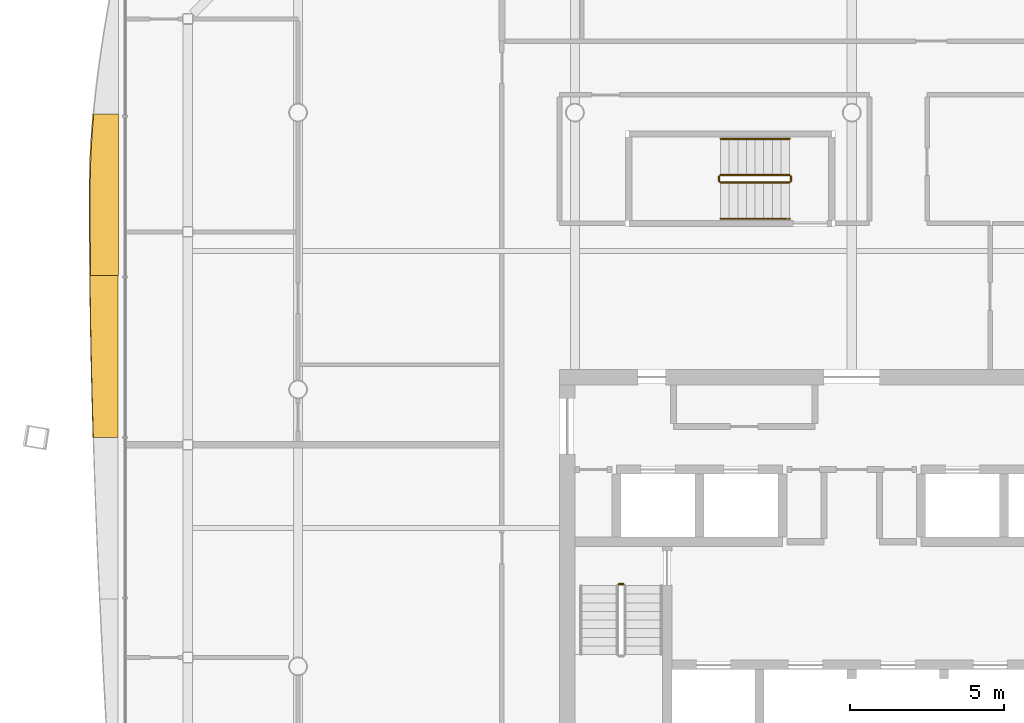
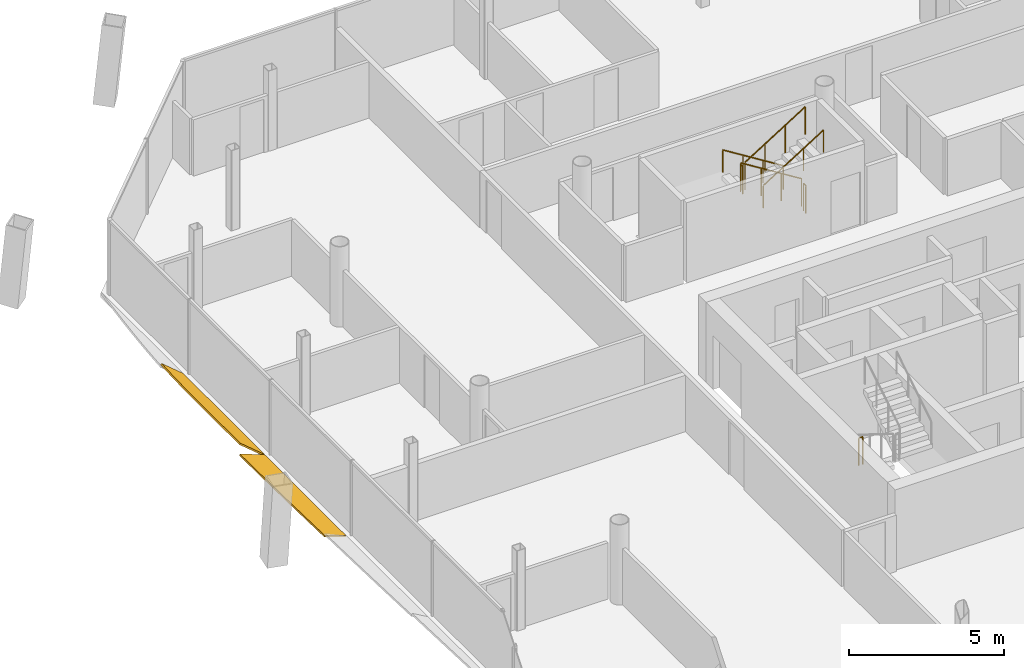
# One storey, part 18 of 20: 7 railings, 2 shading devices.
"""IFC4 building model written with IfcOpenShell, lengths in metres."""

from ifc_helpers import new_model, si_unit, direction, frame, origin, origin_2d, place, context, subcontext, project, spatial, polyline, circle, outline, extrude, material, layer, layer_set, type_object, element, save


model = new_model("IFC4")

# Units and contexts
model_context = context("Model", 3, precision=1e-05, world=origin(), true_north=direction((0.0, 1.0)))
body_context = subcontext(model_context, "Body", "Model", "MODEL_VIEW")
ifc_project = project(units=[si_unit("LENGTHUNIT", "METRE"), si_unit("AREAUNIT", "SQUARE_METRE"), si_unit("VOLUMEUNIT", "CUBIC_METRE"), si_unit("PLANEANGLEUNIT", "RADIAN"), si_unit("MASSUNIT", "GRAM", prefix="KILO")], contexts=[model_context])

# Site, building, storey
site_placement = place(None, origin())
site = spatial("IfcSite", under=ifc_project, at=site_placement, CompositionType="ELEMENT")
building_placement = place(site_placement, origin())
building = spatial("IfcBuilding", under=site, at=building_placement, Name="Tskaro Facet Tower", CompositionType="ELEMENT")
storey_placement = place(building_placement, frame((0.0, 0.0, 184.800048828125)))
storey = spatial("IfcBuildingStorey", under=building, at=storey_placement, Name="L46", CompositionType="ELEMENT", Elevation=184.800048828125)

# Shading devices
ifc_material_1 = material(Name="Bronze anodised aluminium 6063-T6", Category="aluminium")
ifc_layer = layer(ifc_material_1, 0.06005859375, Name="Bronze anodised aluminium 6063-T6")
ifc_layer_set = layer_set([ifc_layer], Name="Bronze anodised aluminium 6063-T6")
shading_device_type = type_object("IfcShadingDeviceType", Name="Bronze sun blade (FN1)", PredefinedType="USERDEFINED", material=ifc_layer_set)
shading_device_1_placement = place(storey_placement, frame((-23.83935546875, 8.951171875, 0.0458984375), z_axis=(0.642761234597, 3.219706e-06, 0.766066573666), x_axis=(2.069502e-06, -0.999999999995, 2.466509e-06)))
element("IfcShadingDevice", 1, at=shading_device_1_placement, inside=storey, type_object=shading_device_type, Name="Fin blade west 2", ObjectType="FIN", PredefinedType="USERDEFINED", context=body_context, shape_type="SweptSolid", body=[
    extrude(outline(polyline([(0.0, 0.0), (5.252929687472773, 0.0), (5.252929687547314, -1.1842853801862603), (4.596191405809907, -1.1924435141808978), (3.939697265728619, -1.1983208037511304), (3.2829589843438534, -1.2017904286099628), (2.626464843604708, -1.2033532649885645), (2.5634765623550346, -1.2033532649885645), (1.9697265627519989, -1.1948511788922982), (1.3132324222458795, -1.1655614474855844), (0.6564941404280297, -1.1160150508421394), (-5.335255338101102e-11, -1.0472137414243028), (0.0, 0.0)])), origin(), (0.0, 0.0, -1.0), 0.06005859375),
])
shading_device_2_placement = place(storey_placement, frame((-23.857421875, 3.6982421875, 0.056396484375), z_axis=(0.341924975481, 2.28583e-06, 0.939727253589), x_axis=(7.81582e-07, -0.999999999997, 2.148057e-06)))
element("IfcShadingDevice", 2, at=shading_device_2_placement, inside=storey, type_object=shading_device_type, Name="Fin blade west 3", ObjectType="FIN", PredefinedType="USERDEFINED", context=body_context, shape_type="SweptSolid", body=[
    extrude(outline(polyline([(0.0, 0.0), (5.252685546861278, 0.0), (5.2526855468673785, -0.8482461801384631), (4.596191406378039, -0.8687916580004417), (3.9394531248353117, -0.8877101489366412), (3.2829589845380522, -0.9051686085014959), (2.626220702853794, -0.9206871777643332), (1.9697265626058187, -0.9345162900568041), (1.3132324219294558, -0.946718415423496), (0.6564941405813381, -0.9568347026663662), (-4.574005734668061e-11, -0.9654074807606743), (0.0, 0.0)])), origin(), (0.0, 0.0, -1.0), 0.06005859375),
])

# Railings
ifc_material_2 = material(Name="Stainless steel", Category="steel")
railing_type_1 = type_object("IfcRailingType", Name="RL-GUARD-1100", PredefinedType="GUARDRAIL", material=ifc_material_2)
railing_1_placement = place(storey_placement, frame((-7.574951171875, -6.324951171875, 0.0)))
element("IfcRailing", 3, at=railing_1_placement, inside=storey, type_object=railing_type_1, Name="L46 ST-1 stair guard 4", PredefinedType="GUARDRAIL", context=body_context, shape_type="SweptSolid", body=[
    extrude(circle(Radius=0.02392578125, at=origin_2d()), frame((0.0, 0.0, 1.076171875), z_axis=(1.0, 0.0, 0.0), x_axis=(0.0, 1.0, 0.0)), (0.0, 0.0, 1.0), 0.14990234375),
    extrude(circle(Radius=0.02099609375, at=origin_2d()), origin(), (0.0, 0.0, 1.0), 1.052001953125),
    extrude(circle(Radius=0.02099609375, at=origin_2d()), frame((0.14990234375, 0.0, 0.0)), (0.0, 0.0, 1.0), 1.052001953125),
])
railing_2_placement = place(storey_placement, frame((-2.02490234375, 6.97509765625, 0.175048828125)))
element("IfcRailing", 4, at=railing_2_placement, inside=storey, type_object=railing_type_1, Name="L46 ST-3 stair guard 1", PredefinedType="GUARDRAIL", context=body_context, shape_type="SweptSolid", body=[
    extrude(circle(Radius=0.02392578125, at=origin_2d()), frame((0.0, 0.0, 1.076171875), z_axis=(-0.848013881152, 0.0, 0.529974015752), x_axis=(0.0, -1.0, 0.0)), (0.0, 0.0, 1.0), 2.641357421875),
    extrude(circle(Radius=0.02099609375, at=origin_2d()), origin(), (0.0, 0.0, 1.0), 1.052001953125),
    extrude(circle(Radius=0.02099609375, at=origin_2d()), frame((-0.74658203125, 0.0, 0.466552734375)), (0.0, 0.0, 1.0), 1.052001953125),
    extrude(circle(Radius=0.02099609375, at=origin_2d()), frame((-1.493408203125, 0.0, 0.933349609375)), (0.0, 0.0, 1.0), 1.052001953125),
    extrude(circle(Radius=0.02099609375, at=origin_2d()), frame((-2.239990234375, 0.0, 1.39990234375)), (0.0, 0.0, 1.0), 1.052001953125),
])
railing_3_placement = place(storey_placement, frame((-4.31494140625, 6.925048828125, 1.574951171875)))
element("IfcRailing", 5, at=railing_3_placement, inside=storey, type_object=railing_type_1, Name="L46 ST-3 stair guard 2", PredefinedType="GUARDRAIL", context=body_context, shape_type="SweptSolid", body=[
    extrude(circle(Radius=0.02392578125, at=origin_2d()), frame((0.0, 0.0, 1.076171875), z_axis=(0.0, -1.0, 0.0), x_axis=(1.0, 0.0, 0.0)), (0.0, 0.0, 1.0), 0.150146484375),
    extrude(circle(Radius=0.02099609375, at=origin_2d()), origin(), (0.0, 0.0, 1.0), 1.052001953125),
    extrude(circle(Radius=0.02099609375, at=origin_2d()), frame((0.0, -0.150146484375, 0.0)), (0.0, 0.0, 1.0), 1.052001953125),
])
railing_4_placement = place(storey_placement, frame((-4.264892578125, 6.72509765625, 1.75)))
element("IfcRailing", 6, at=railing_4_placement, inside=storey, type_object=railing_type_1, Name="L46 ST-3 stair guard 3", PredefinedType="GUARDRAIL", context=body_context, shape_type="SweptSolid", body=[
    extrude(circle(Radius=0.02392578125, at=origin_2d()), frame((0.0, 0.0, 1.076171875), z_axis=(0.848013881152, 0.0, 0.529974015752), x_axis=(0.0, 1.0, 0.0)), (0.0, 0.0, 1.0), 2.641357421875),
    extrude(circle(Radius=0.02099609375, at=origin_2d()), origin(), (0.0, 0.0, 1.0), 1.052001953125),
    extrude(circle(Radius=0.02099609375, at=origin_2d()), frame((0.74658203125, 0.0, 0.466552734375)), (0.0, 0.0, 1.0), 1.052001953125),
    extrude(circle(Radius=0.02099609375, at=origin_2d()), frame((1.493408203125, 0.0, 0.933349609375)), (0.0, 0.0, 1.0), 1.052001953125),
    extrude(circle(Radius=0.02099609375, at=origin_2d()), frame((2.239990234375, 0.0, 1.39990234375)), (0.0, 0.0, 1.0), 1.052001953125),
])
railing_5_placement = place(storey_placement, frame((-1.97509765625, 6.925048828125, 0.0)))
element("IfcRailing", 7, at=railing_5_placement, inside=storey, type_object=railing_type_1, Name="L46 ST-3 stair guard 4", PredefinedType="GUARDRAIL", context=body_context, shape_type="SweptSolid", body=[
    extrude(circle(Radius=0.02392578125, at=origin_2d()), frame((0.0, 0.0, 1.076171875), z_axis=(0.0, -1.0, 0.0), x_axis=(1.0, 0.0, 0.0)), (0.0, 0.0, 1.0), 0.150146484375),
    extrude(circle(Radius=0.02099609375, at=origin_2d()), origin(), (0.0, 0.0, 1.0), 1.052001953125),
    extrude(circle(Radius=0.02099609375, at=origin_2d()), frame((0.0, -0.150146484375, 0.0)), (0.0, 0.0, 1.0), 1.052001953125),
])
railing_type_2 = type_object("IfcRailingType", Name="RL-HANDRAIL-900", PredefinedType="HANDRAIL", material=ifc_material_2)
railing_6_placement = place(storey_placement, frame((-2.02490234375, 8.14990234375, 0.175048828125)))
element("IfcRailing", 8, at=railing_6_placement, inside=storey, type_object=railing_type_2, Name="L46 ST-3 stair handrail 1", PredefinedType="HANDRAIL", context=body_context, shape_type="SweptSolid", body=[
    extrude(circle(Radius=0.02392578125, at=origin_2d()), frame((0.0, 0.0, 0.8759765625), z_axis=(-0.848013881152, 0.0, 0.529974015752), x_axis=(0.0, -1.0, 0.0)), (0.0, 0.0, 1.0), 2.641357421875),
    extrude(circle(Radius=0.02099609375, at=origin_2d()), origin(), (0.0, 0.0, 1.0), 0.851806640625),
    extrude(circle(Radius=0.02099609375, at=origin_2d()), frame((-0.74658203125, 0.0, 0.466552734375)), (0.0, 0.0, 1.0), 0.851806640625),
    extrude(circle(Radius=0.02099609375, at=origin_2d()), frame((-1.493408203125, 0.0, 0.933349609375)), (0.0, 0.0, 1.0), 0.851806640625),
    extrude(circle(Radius=0.02099609375, at=origin_2d()), frame((-2.239990234375, 0.0, 1.39990234375)), (0.0, 0.0, 1.0), 0.851806640625),
])
railing_7_placement = place(storey_placement, frame((-4.264892578125, 5.550048828125, 1.75)))
element("IfcRailing", 9, at=railing_7_placement, inside=storey, type_object=railing_type_2, Name="L46 ST-3 stair handrail 2", PredefinedType="HANDRAIL", context=body_context, shape_type="SweptSolid", body=[
    extrude(circle(Radius=0.02392578125, at=origin_2d()), frame((0.0, 0.0, 0.8759765625), z_axis=(0.848013881152, 0.0, 0.529974015752), x_axis=(0.0, 1.0, 0.0)), (0.0, 0.0, 1.0), 2.641357421875),
    extrude(circle(Radius=0.02099609375, at=origin_2d()), origin(), (0.0, 0.0, 1.0), 0.851806640625),
    extrude(circle(Radius=0.02099609375, at=origin_2d()), frame((0.74658203125, 0.0, 0.466552734375)), (0.0, 0.0, 1.0), 0.851806640625),
    extrude(circle(Radius=0.02099609375, at=origin_2d()), frame((1.493408203125, 0.0, 0.933349609375)), (0.0, 0.0, 1.0), 0.851806640625),
    extrude(circle(Radius=0.02099609375, at=origin_2d()), frame((2.239990234375, 0.0, 1.39990234375)), (0.0, 0.0, 1.0), 0.851806640625),
])

save(model, "model.ifc")
